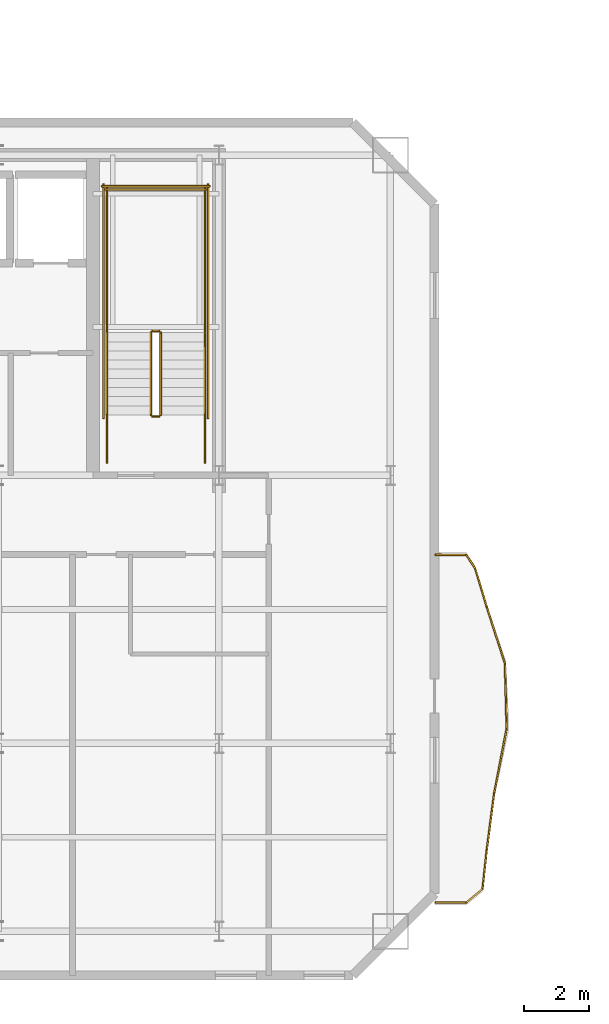
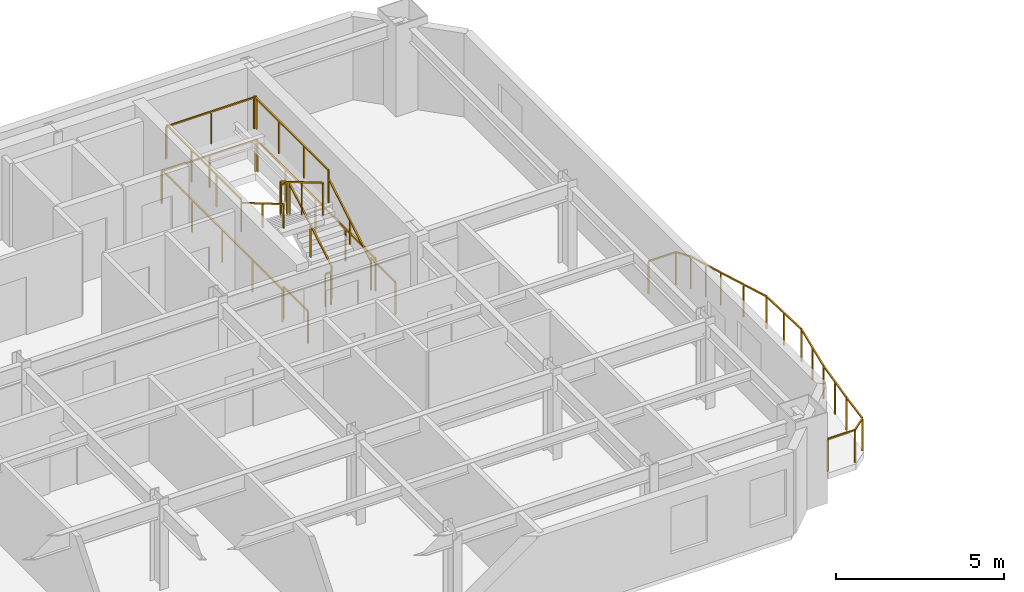
# One storey, part 11 of 13: 24 railings.
"""IFC4 building model written with IfcOpenShell, lengths in metres."""

from ifc_helpers import new_model, si_unit, direction, frame, origin, origin_2d, place, context, subcontext, project, spatial, rectangle, extrude, material, type_object, element, save


model = new_model("IFC4")

# Units and contexts
model_context = context("Model", 3, precision=1e-05, world=origin(), true_north=direction((0.0, 1.0)))
body_context = subcontext(model_context, "Body", "Model", "MODEL_VIEW")
ifc_project = project(units=[si_unit("LENGTHUNIT", "METRE"), si_unit("AREAUNIT", "SQUARE_METRE"), si_unit("VOLUMEUNIT", "CUBIC_METRE"), si_unit("PLANEANGLEUNIT", "RADIAN"), si_unit("MASSUNIT", "GRAM", prefix="KILO")], contexts=[model_context])

# Site, building, storey
site_placement = place(None, origin())
site = spatial("IfcSite", under=ifc_project, at=site_placement, CompositionType="ELEMENT")
building_placement = place(site_placement, origin())
building = spatial("IfcBuilding", under=site, at=building_placement, Name="Haevon Station Towers", CompositionType="ELEMENT")
storey_placement = place(building_placement, frame((0.0, 0.0, 222.0)))
storey = spatial("IfcBuildingStorey", under=building, at=storey_placement, Name="L61", CompositionType="ELEMENT", Elevation=222.0)

# Railings
ifc_material = material(Name="Steel S355", Category="steel")
railing_type_1 = type_object("IfcRailingType", Name="GRD-EXT1200", PredefinedType="GUARDRAIL", material=ifc_material)
railing_1_placement = place(storey_placement, frame((57.62353515625, 25.1279296875, 0.0)))
element("IfcRailing", 1, at=railing_1_placement, inside=storey, type_object=railing_type_1, Name="L61 Perimeter Guardrail 1", PredefinedType="GUARDRAIL", context=body_context, shape_type="SweptSolid", body=[
    extrude(rectangle(XDim=0.048095703125, YDim=0.048095703125, at=origin_2d()), frame((0.0, 0.0, 1.17578125), z_axis=(0.999997857851, 0.002069853263, 0.0), x_axis=(-0.002069853263, 0.999997857851, 0.0)), (0.0, 0.0, 1.0), 0.943603515625),
    extrude(rectangle(XDim=0.0419921875, YDim=0.0419921875, at=origin_2d()), origin(), (0.0, 0.0, 1.0), 1.15185546875),
    extrude(rectangle(XDim=0.0419921875, YDim=0.0419921875, at=origin_2d()), frame((0.943603515625, 0.001953125, 0.0)), (0.0, 0.0, 1.0), 1.15185546875),
])
railing_2_placement = place(storey_placement, frame((58.567138671875, 25.1298828125, 0.0)))
element("IfcRailing", 2, at=railing_2_placement, inside=storey, type_object=railing_type_1, Name="L61 Perimeter Guardrail 2", PredefinedType="GUARDRAIL", context=body_context, shape_type="SweptSolid", body=[
    extrude(rectangle(XDim=0.048095703125, YDim=0.048095703125, at=origin_2d()), frame((0.0, 0.0, 1.17578125), z_axis=(0.771340811858, 0.636422306305, 0.0), x_axis=(-0.636422306305, 0.771340811858, 0.0)), (0.0, 0.0, 1.0), 0.64599609375),
    extrude(rectangle(XDim=0.0419921875, YDim=0.0419921875, at=origin_2d()), origin(), (0.0, 0.0, 1.0), 1.15185546875),
    extrude(rectangle(XDim=0.0419921875, YDim=0.0419921875, at=origin_2d()), frame((0.498291015625, 0.4111328125, 0.0)), (0.0, 0.0, 1.0), 1.15185546875),
])
railing_3_placement = place(storey_placement, frame((59.0654296875, 25.541015625, 0.0)))
element("IfcRailing", 3, at=railing_3_placement, inside=storey, type_object=railing_type_1, Name="L61 Perimeter Guardrail 3", PredefinedType="GUARDRAIL", context=body_context, shape_type="SweptSolid", body=[
    extrude(rectangle(XDim=0.048095703125, YDim=0.048095703125, at=origin_2d()), frame((0.0, 0.0, 1.17578125), z_axis=(0.108246304378, 0.994124105727, 0.0), x_axis=(-0.994124105727, 0.108246304378, 0.0)), (0.0, 0.0, 1.0), 1.17724609375),
    extrude(rectangle(XDim=0.0419921875, YDim=0.0419921875, at=origin_2d()), origin(), (0.0, 0.0, 1.0), 1.15185546875),
    extrude(rectangle(XDim=0.0419921875, YDim=0.0419921875, at=origin_2d()), frame((0.12744140625, 1.17041015625, 0.0)), (0.0, 0.0, 1.0), 1.15185546875),
])
railing_4_placement = place(storey_placement, frame((59.19287109375, 26.71142578125, 0.0)))
element("IfcRailing", 4, at=railing_4_placement, inside=storey, type_object=railing_type_1, Name="L61 Perimeter Guardrail 4", PredefinedType="GUARDRAIL", context=body_context, shape_type="SweptSolid", body=[
    extrude(rectangle(XDim=0.048095703125, YDim=0.048095703125, at=origin_2d()), frame((0.0, 0.0, 1.17578125), z_axis=(0.128853983345, 0.991663577518, 0.0), x_axis=(-0.991663577518, 0.128853983345, 0.0)), (0.0, 0.0, 1.0), 1.763916015625),
    extrude(rectangle(XDim=0.0419921875, YDim=0.0419921875, at=origin_2d()), origin(), (0.0, 0.0, 1.0), 1.15185546875),
    extrude(rectangle(XDim=0.0419921875, YDim=0.0419921875, at=origin_2d()), frame((0.11376953125, 0.87451171875, 0.0)), (0.0, 0.0, 1.0), 1.15185546875),
    extrude(rectangle(XDim=0.0419921875, YDim=0.0419921875, at=origin_2d()), frame((0.227294921875, 1.749267578125, 0.0)), (0.0, 0.0, 1.0), 1.15185546875),
])
railing_5_placement = place(storey_placement, frame((59.420166015625, 28.460693359375, 0.0)))
element("IfcRailing", 5, at=railing_5_placement, inside=storey, type_object=railing_type_1, Name="L61 Perimeter Guardrail 5", PredefinedType="GUARDRAIL", context=body_context, shape_type="SweptSolid", body=[
    extrude(rectangle(XDim=0.048095703125, YDim=0.048095703125, at=origin_2d()), frame((0.0, 0.0, 1.17578125), z_axis=(0.189669695752, 0.981847954886, 0.0), x_axis=(-0.981847954886, 0.189669695752, 0.0)), (0.0, 0.0, 1.0), 2.026123046875),
    extrude(rectangle(XDim=0.0419921875, YDim=0.0419921875, at=origin_2d()), origin(), (0.0, 0.0, 1.0), 1.15185546875),
    extrude(rectangle(XDim=0.0419921875, YDim=0.0419921875, at=origin_2d()), frame((0.192138671875, 0.99462890625, 0.0)), (0.0, 0.0, 1.0), 1.15185546875),
    extrude(rectangle(XDim=0.0419921875, YDim=0.0419921875, at=origin_2d()), frame((0.38427734375, 1.9892578125, 0.0)), (0.0, 0.0, 1.0), 1.15185546875),
])
railing_6_placement = place(storey_placement, frame((59.804443359375, 30.449951171875, 0.0)))
element("IfcRailing", 6, at=railing_6_placement, inside=storey, type_object=railing_type_1, Name="L61 Perimeter Guardrail 6", PredefinedType="GUARDRAIL", context=body_context, shape_type="SweptSolid", body=[
    extrude(rectangle(XDim=0.048095703125, YDim=0.048095703125, at=origin_2d()), frame((0.0, 0.0, 1.17578125), z_axis=(-0.026326002365, 0.999653410738, 0.0), x_axis=(-0.999653410738, -0.026326002365, 0.0)), (0.0, 0.0, 1.0), 1.993896484375),
    extrude(rectangle(XDim=0.0419921875, YDim=0.0419921875, at=origin_2d()), origin(), (0.0, 0.0, 1.0), 1.15185546875),
    extrude(rectangle(XDim=0.0419921875, YDim=0.0419921875, at=origin_2d()), frame((-0.0263671875, 0.99658203125, 0.0)), (0.0, 0.0, 1.0), 1.15185546875),
    extrude(rectangle(XDim=0.0419921875, YDim=0.0419921875, at=origin_2d()), frame((-0.052490234375, 1.9931640625, 0.0)), (0.0, 0.0, 1.0), 1.15185546875),
])
railing_7_placement = place(storey_placement, frame((59.751953125, 32.443115234375, 0.0)))
element("IfcRailing", 7, at=railing_7_placement, inside=storey, type_object=railing_type_1, Name="L61 Perimeter Guardrail 7", PredefinedType="GUARDRAIL", context=body_context, shape_type="SweptSolid", body=[
    extrude(rectangle(XDim=0.048095703125, YDim=0.048095703125, at=origin_2d()), frame((0.0, 0.0, 1.17578125), z_axis=(-0.305017363439, 0.952346789778, 0.0), x_axis=(-0.952346789778, -0.305017363439, 0.0)), (0.0, 0.0, 1.0), 1.8330078125),
    extrude(rectangle(XDim=0.0419921875, YDim=0.0419921875, at=origin_2d()), origin(), (0.0, 0.0, 1.0), 1.15185546875),
    extrude(rectangle(XDim=0.0419921875, YDim=0.0419921875, at=origin_2d()), frame((-0.279541015625, 0.872802734375, 0.0)), (0.0, 0.0, 1.0), 1.15185546875),
    extrude(rectangle(XDim=0.0419921875, YDim=0.0419921875, at=origin_2d()), frame((-0.55908203125, 1.74560546875, 0.0)), (0.0, 0.0, 1.0), 1.15185546875),
])
railing_8_placement = place(storey_placement, frame((59.19287109375, 34.188720703125, 0.0)))
element("IfcRailing", 8, at=railing_8_placement, inside=storey, type_object=railing_type_1, Name="L61 Perimeter Guardrail 8", PredefinedType="GUARDRAIL", context=body_context, shape_type="SweptSolid", body=[
    extrude(rectangle(XDim=0.048095703125, YDim=0.048095703125, at=origin_2d()), frame((0.0, 0.0, 1.17578125), z_axis=(-0.289746900374, 0.95710330358, 0.0), x_axis=(-0.95710330358, -0.289746900374, 0.0)), (0.0, 0.0, 1.0), 1.22265625),
    extrude(rectangle(XDim=0.0419921875, YDim=0.0419921875, at=origin_2d()), origin(), (0.0, 0.0, 1.0), 1.15185546875),
    extrude(rectangle(XDim=0.0419921875, YDim=0.0419921875, at=origin_2d()), frame((-0.17724609375, 0.5849609375, 0.0)), (0.0, 0.0, 1.0), 1.15185546875),
    extrude(rectangle(XDim=0.0419921875, YDim=0.0419921875, at=origin_2d()), frame((-0.354248046875, 1.170166015625, 0.0)), (0.0, 0.0, 1.0), 1.15185546875),
])
railing_9_placement = place(storey_placement, frame((58.838623046875, 35.35888671875, 0.0)))
element("IfcRailing", 9, at=railing_9_placement, inside=storey, type_object=railing_type_1, Name="L61 Perimeter Guardrail 9", PredefinedType="GUARDRAIL", context=body_context, shape_type="SweptSolid", body=[
    extrude(rectangle(XDim=0.048095703125, YDim=0.048095703125, at=origin_2d()), frame((0.0, 0.0, 1.17578125), z_axis=(-0.55080770447, 0.834632178086, 0.0), x_axis=(-0.834632178086, -0.55080770447, 0.0)), (0.0, 0.0, 1.0), 0.492919921875),
    extrude(rectangle(XDim=0.0419921875, YDim=0.0419921875, at=origin_2d()), origin(), (0.0, 0.0, 1.0), 1.15185546875),
    extrude(rectangle(XDim=0.0419921875, YDim=0.0419921875, at=origin_2d()), frame((-0.271484375, 0.411376953125, 0.0)), (0.0, 0.0, 1.0), 1.15185546875),
])
railing_10_placement = place(storey_placement, frame((58.567138671875, 35.770263671875, 0.0)))
element("IfcRailing", 10, at=railing_10_placement, inside=storey, type_object=railing_type_1, Name="L61 Perimeter Guardrail 10", PredefinedType="GUARDRAIL", context=body_context, shape_type="SweptSolid", body=[
    extrude(rectangle(XDim=0.048095703125, YDim=0.048095703125, at=origin_2d()), frame((0.0, 0.0, 1.17578125), z_axis=(-0.999997857851, 0.002069853263, 0.0), x_axis=(-0.002069853263, -0.999997857851, 0.0)), (0.0, 0.0, 1.0), 0.943603515625),
    extrude(rectangle(XDim=0.0419921875, YDim=0.0419921875, at=origin_2d()), origin(), (0.0, 0.0, 1.0), 1.15185546875),
    extrude(rectangle(XDim=0.0419921875, YDim=0.0419921875, at=origin_2d()), frame((-0.943603515625, 0.001953125, 0.0)), (0.0, 0.0, 1.0), 1.15185546875),
])
railing_type_2 = type_object("IfcRailingType", Name="GRD-STR1200", PredefinedType="GUARDRAIL", material=ifc_material)
railing_11_placement = place(storey_placement, frame((49.219970703125, 40.050048828125, 0.1650390625)))
element("IfcRailing", 11, at=railing_11_placement, inside=storey, type_object=railing_type_2, Name="L61 ST2 Stair Guard 1", PredefinedType="GUARDRAIL", context=body_context, shape_type="SweptSolid", body=[
    extrude(rectangle(XDim=0.048095703125, YDim=0.048095703125, at=origin_2d()), frame((0.0, 0.0, 1.17578125), z_axis=(0.0, 0.861560626758, 0.507654692109), x_axis=(-1.0, 0.0, 0.0)), (0.0, 0.0, 1.0), 2.925048828125),
    extrude(rectangle(XDim=0.0419921875, YDim=0.0419921875, at=origin_2d()), origin(), (0.0, 0.0, 1.0), 1.15185546875),
    extrude(rectangle(XDim=0.0419921875, YDim=0.0419921875, at=origin_2d()), frame((0.0, 1.260009765625, 0.742431640625)), (0.0, 0.0, 1.0), 1.15185546875),
    extrude(rectangle(XDim=0.0419921875, YDim=0.0419921875, at=origin_2d()), frame((0.0, 2.52001953125, 1.48486328125)), (0.0, 0.0, 1.0), 1.15185546875),
])
railing_12_placement = place(storey_placement, frame((49.169921875, 42.6201171875, 1.64990234375)))
element("IfcRailing", 12, at=railing_12_placement, inside=storey, type_object=railing_type_2, Name="L61 ST2 Stair Guard 2", PredefinedType="GUARDRAIL", context=body_context, shape_type="SweptSolid", body=[
    extrude(rectangle(XDim=0.048095703125, YDim=0.048095703125, at=origin_2d()), frame((0.0, 0.0, 1.17578125), z_axis=(-1.0, 0.0, 0.0), x_axis=(0.0, -1.0, 0.0)), (0.0, 0.0, 1.0), 0.199951171875),
    extrude(rectangle(XDim=0.0419921875, YDim=0.0419921875, at=origin_2d()), origin(), (0.0, 0.0, 1.0), 1.15185546875),
    extrude(rectangle(XDim=0.0419921875, YDim=0.0419921875, at=origin_2d()), frame((-0.199951171875, 0.0, 0.0)), (0.0, 0.0, 1.0), 1.15185546875),
])
for number, where, name in (
    (13, (50.570068359375, 42.570068359375, 1.64990234375), "L61 ST2 Stair Guard 3"),
    (14, (47.570068359375, 42.570068359375, 1.64990234375), "L61 ST2 Stair Guard 4"),
):
    element("IfcRailing", number, at=place(storey_placement, frame(where)), inside=storey, type_object=railing_type_2, Name=name, PredefinedType="GUARDRAIL", context=body_context, shape_type="SweptSolid", body=[
        extrude(rectangle(XDim=0.048095703125, YDim=0.048095703125, at=origin_2d()), frame((0.0, 0.0, 1.17578125), z_axis=(0.0, 1.0, 0.0), x_axis=(-1.0, 0.0, 0.0)), (0.0, 0.0, 1.0), 4.429931640625),
        extrude(rectangle(XDim=0.0419921875, YDim=0.0419921875, at=origin_2d()), origin(), (0.0, 0.0, 1.0), 1.15185546875),
        extrude(rectangle(XDim=0.0419921875, YDim=0.0419921875, at=origin_2d()), frame((0.0, 1.4765625, 0.0)), (0.0, 0.0, 1.0), 1.15185546875),
        extrude(rectangle(XDim=0.0419921875, YDim=0.0419921875, at=origin_2d()), frame((0.0, 2.953369140625, 0.0)), (0.0, 0.0, 1.0), 1.15185546875),
        extrude(rectangle(XDim=0.0419921875, YDim=0.0419921875, at=origin_2d()), frame((0.0, 4.429931640625, 0.0)), (0.0, 0.0, 1.0), 1.15185546875),
    ])
railing_13_placement = place(storey_placement, frame((50.6201171875, 46.949951171875, 1.64990234375)))
element("IfcRailing", 15, at=railing_13_placement, inside=storey, type_object=railing_type_2, Name="L61 ST2 Stair Guard 5", PredefinedType="GUARDRAIL", context=body_context, shape_type="SweptSolid", body=[
    extrude(rectangle(XDim=0.048095703125, YDim=0.048095703125, at=origin_2d()), frame((0.0, 0.0, 1.17578125), z_axis=(-1.0, 0.0, 0.0), x_axis=(0.0, -1.0, 0.0)), (0.0, 0.0, 1.0), 3.10009765625),
    extrude(rectangle(XDim=0.0419921875, YDim=0.0419921875, at=origin_2d()), origin(), (0.0, 0.0, 1.0), 1.15185546875),
    extrude(rectangle(XDim=0.0419921875, YDim=0.0419921875, at=origin_2d()), frame((-1.550048828125, 0.0, 0.0)), (0.0, 0.0, 1.0), 1.15185546875),
    extrude(rectangle(XDim=0.0419921875, YDim=0.0419921875, at=origin_2d()), frame((-3.10009765625, 0.0, 0.0)), (0.0, 0.0, 1.0), 1.15185546875),
])
railing_14_placement = place(storey_placement, frame((48.919921875, 42.570068359375, 1.81494140625)))
element("IfcRailing", 16, at=railing_14_placement, inside=storey, type_object=railing_type_2, Name="L61 ST2 Stair Guard 6", PredefinedType="GUARDRAIL", context=body_context, shape_type="SweptSolid", body=[
    extrude(rectangle(XDim=0.048095703125, YDim=0.048095703125, at=origin_2d()), frame((0.0, 0.0, 1.17578125), z_axis=(0.0, -0.86152411907, 0.507716645641), x_axis=(1.0, 0.0, 0.0)), (0.0, 0.0, 1.0), 2.925048828125),
    extrude(rectangle(XDim=0.0419921875, YDim=0.0419921875, at=origin_2d()), origin(), (0.0, 0.0, 1.0), 1.15185546875),
    extrude(rectangle(XDim=0.0419921875, YDim=0.0419921875, at=origin_2d()), frame((0.0, -1.260009765625, 0.74267578125)), (0.0, 0.0, 1.0), 1.15185546875),
    extrude(rectangle(XDim=0.0419921875, YDim=0.0419921875, at=origin_2d()), frame((0.0, -2.52001953125, 1.485107421875)), (0.0, 0.0, 1.0), 1.15185546875),
])
railing_15_placement = place(storey_placement, frame((49.169921875, 40.0, 0.0)))
element("IfcRailing", 17, at=railing_15_placement, inside=storey, type_object=railing_type_2, Name="L61 ST2 Stair Guard 7", PredefinedType="GUARDRAIL", context=body_context, shape_type="SweptSolid", body=[
    extrude(rectangle(XDim=0.048095703125, YDim=0.048095703125, at=origin_2d()), frame((0.0, 0.0, 1.17578125), z_axis=(-1.0, 0.0, 0.0), x_axis=(0.0, -1.0, 0.0)), (0.0, 0.0, 1.0), 0.199951171875),
    extrude(rectangle(XDim=0.0419921875, YDim=0.0419921875, at=origin_2d()), origin(), (0.0, 0.0, 1.0), 1.15185546875),
    extrude(rectangle(XDim=0.0419921875, YDim=0.0419921875, at=origin_2d()), frame((-0.199951171875, 0.0, 0.0)), (0.0, 0.0, 1.0), 1.15185546875),
])
for number, where, name in (
    (18, (50.570068359375, 38.60009765625, 0.0), "L61 ST2 Stair Guard 8"),
    (19, (47.570068359375, 38.60009765625, 0.0), "L61 ST2 Stair Guard 9"),
):
    element("IfcRailing", number, at=place(storey_placement, frame(where)), inside=storey, type_object=railing_type_2, Name=name, PredefinedType="GUARDRAIL", context=body_context, shape_type="SweptSolid", body=[
        extrude(rectangle(XDim=0.048095703125, YDim=0.048095703125, at=origin_2d()), frame((0.0, 0.0, 1.17578125), z_axis=(0.0, 1.0, 0.0), x_axis=(-1.0, 0.0, 0.0)), (0.0, 0.0, 1.0), 1.449951171875),
        extrude(rectangle(XDim=0.0419921875, YDim=0.0419921875, at=origin_2d()), origin(), (0.0, 0.0, 1.0), 1.15185546875),
        extrude(rectangle(XDim=0.0419921875, YDim=0.0419921875, at=origin_2d()), frame((0.0, 1.449951171875, 0.0)), (0.0, 0.0, 1.0), 1.15185546875),
    ])
for number, where, name in (
    (20, (50.669921875, 39.949951171875, 0.0), "L61 ST2 Stair Guard 10"),
    (21, (47.469970703125, 39.949951171875, 0.0), "L61 ST2 Stair Guard 11"),
):
    element("IfcRailing", number, at=place(storey_placement, frame(where)), inside=storey, type_object=railing_type_2, Name=name, PredefinedType="GUARDRAIL", context=body_context, shape_type="SweptSolid", body=[
        extrude(rectangle(XDim=0.048095703125, YDim=0.048095703125, at=origin_2d()), frame((0.0, 0.0, 1.17578125), z_axis=(0.0, 1.0, 0.0), x_axis=(-1.0, 0.0, 0.0)), (0.0, 0.0, 1.0), 7.150146484375),
        extrude(rectangle(XDim=0.0419921875, YDim=0.0419921875, at=origin_2d()), origin(), (0.0, 0.0, 1.0), 1.15185546875),
        extrude(rectangle(XDim=0.0419921875, YDim=0.0419921875, at=origin_2d()), frame((0.0, 1.78759765625, 0.0)), (0.0, 0.0, 1.0), 1.15185546875),
        extrude(rectangle(XDim=0.0419921875, YDim=0.0419921875, at=origin_2d()), frame((0.0, 3.5751953125, 0.0)), (0.0, 0.0, 1.0), 1.15185546875),
        extrude(rectangle(XDim=0.0419921875, YDim=0.0419921875, at=origin_2d()), frame((0.0, 5.362548828125, 0.0)), (0.0, 0.0, 1.0), 1.15185546875),
        extrude(rectangle(XDim=0.0419921875, YDim=0.0419921875, at=origin_2d()), frame((0.0, 7.150146484375, 0.0)), (0.0, 0.0, 1.0), 1.15185546875),
    ])
railing_16_placement = place(storey_placement, frame((50.719970703125, 47.050048828125, 0.0)))
element("IfcRailing", 22, at=railing_16_placement, inside=storey, type_object=railing_type_2, Name="L61 ST2 Stair Guard 12", PredefinedType="GUARDRAIL", context=body_context, shape_type="SweptSolid", body=[
    extrude(rectangle(XDim=0.048095703125, YDim=0.048095703125, at=origin_2d()), frame((0.0, 0.0, 1.17578125), z_axis=(-1.0, 0.0, 0.0), x_axis=(0.0, -1.0, 0.0)), (0.0, 0.0, 1.0), 3.300048828125),
    extrude(rectangle(XDim=0.0419921875, YDim=0.0419921875, at=origin_2d()), origin(), (0.0, 0.0, 1.0), 1.15185546875),
    extrude(rectangle(XDim=0.0419921875, YDim=0.0419921875, at=origin_2d()), frame((-1.64990234375, 0.0, 0.0)), (0.0, 0.0, 1.0), 1.15185546875),
    extrude(rectangle(XDim=0.0419921875, YDim=0.0419921875, at=origin_2d()), frame((-3.300048828125, 0.0, 0.0)), (0.0, 0.0, 1.0), 1.15185546875),
])
railing_type_3 = type_object("IfcRailingType", Name="HND-STR900", PredefinedType="HANDRAIL", material=ifc_material)
railing_17_placement = place(storey_placement, frame((50.570068359375, 40.050048828125, 0.1650390625)))
element("IfcRailing", 23, at=railing_17_placement, inside=storey, type_object=railing_type_3, Name="L61 ST2 Stair Handrail 1", PredefinedType="HANDRAIL", context=body_context, shape_type="SweptSolid", body=[
    extrude(rectangle(XDim=0.048095703125, YDim=0.048095703125, at=origin_2d()), frame((0.0, 0.0, 0.8759765625), z_axis=(0.0, 0.861560626758, 0.507654692109), x_axis=(-1.0, 0.0, 0.0)), (0.0, 0.0, 1.0), 2.925048828125),
    extrude(rectangle(XDim=0.0419921875, YDim=0.0419921875, at=origin_2d()), origin(), (0.0, 0.0, 1.0), 0.851806640625),
    extrude(rectangle(XDim=0.0419921875, YDim=0.0419921875, at=origin_2d()), frame((0.0, 1.260009765625, 0.742431640625)), (0.0, 0.0, 1.0), 0.851806640625),
    extrude(rectangle(XDim=0.0419921875, YDim=0.0419921875, at=origin_2d()), frame((0.0, 2.52001953125, 1.48486328125)), (0.0, 0.0, 1.0), 0.851806640625),
])
railing_18_placement = place(storey_placement, frame((47.570068359375, 42.570068359375, 1.81494140625)))
element("IfcRailing", 24, at=railing_18_placement, inside=storey, type_object=railing_type_3, Name="L61 ST2 Stair Handrail 2", PredefinedType="HANDRAIL", context=body_context, shape_type="SweptSolid", body=[
    extrude(rectangle(XDim=0.048095703125, YDim=0.048095703125, at=origin_2d()), frame((0.0, 0.0, 0.8759765625), z_axis=(0.0, -0.86152411907, 0.507716645641), x_axis=(1.0, 0.0, 0.0)), (0.0, 0.0, 1.0), 2.925048828125),
    extrude(rectangle(XDim=0.0419921875, YDim=0.0419921875, at=origin_2d()), origin(), (0.0, 0.0, 1.0), 0.851806640625),
    extrude(rectangle(XDim=0.0419921875, YDim=0.0419921875, at=origin_2d()), frame((0.0, -1.260009765625, 0.74267578125)), (0.0, 0.0, 1.0), 0.851806640625),
    extrude(rectangle(XDim=0.0419921875, YDim=0.0419921875, at=origin_2d()), frame((0.0, -2.52001953125, 1.485107421875)), (0.0, 0.0, 1.0), 0.851806640625),
])

save(model, "model.ifc")
